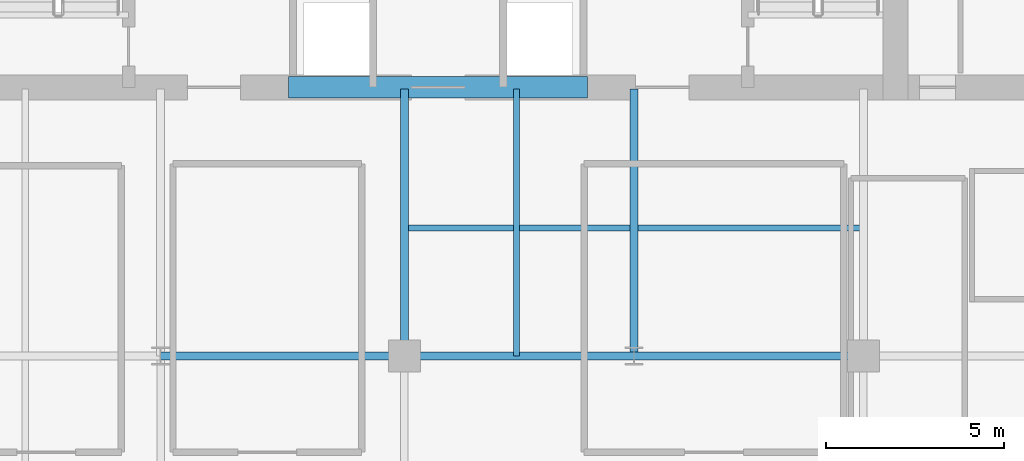
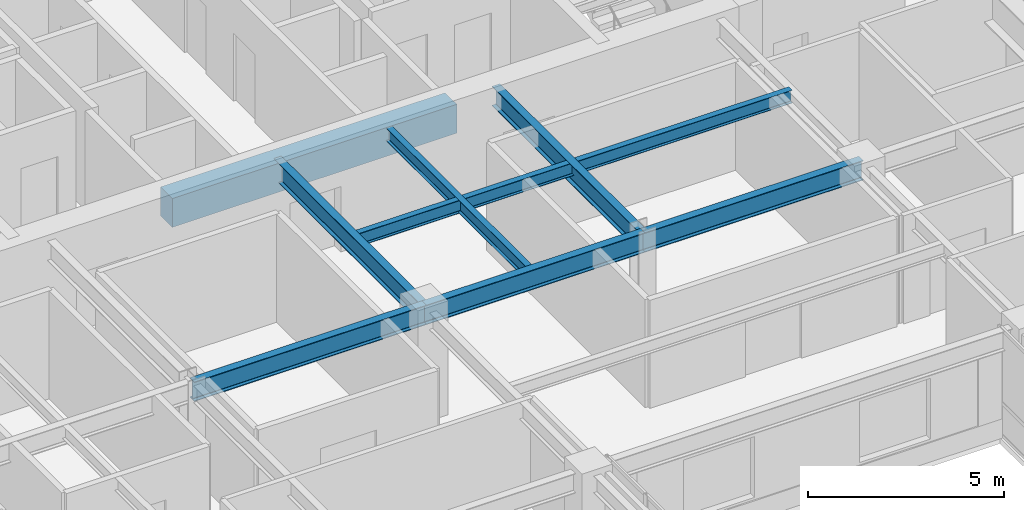
# One storey, part 6 of 24: 8 beams.
"""IFC4 building model written with IfcOpenShell, lengths in metres."""

from ifc_helpers import new_model, si_unit, direction, frame, origin, origin_2d, place, context, subcontext, project, spatial, rectangle, i_section, extrude, source, transform, mapped, material, material_profile, profile_set, type_object, type_shapes, element, save


model = new_model("IFC4")

# Units and contexts
model_context = context("Model", 3, precision=1e-05, world=origin(), true_north=direction((0.0, 1.0)))
body_context = subcontext(model_context, "Body", "Model", "MODEL_VIEW")
ifc_project = project(units=[si_unit("LENGTHUNIT", "METRE"), si_unit("AREAUNIT", "SQUARE_METRE"), si_unit("VOLUMEUNIT", "CUBIC_METRE"), si_unit("PLANEANGLEUNIT", "RADIAN"), si_unit("MASSUNIT", "GRAM", prefix="KILO")], contexts=[model_context])

# Site, building, storey
site_placement = place(None, origin())
site = spatial("IfcSite", under=ifc_project, at=site_placement, CompositionType="ELEMENT")
building_placement = place(site_placement, origin())
building = spatial("IfcBuilding", under=site, at=building_placement, Name="Tolvann Quenvar Hotel", CompositionType="ELEMENT")
storey_placement = place(building_placement, frame((0.0, 0.0, 118.64990234375)))
storey = spatial("IfcBuildingStorey", under=building, at=storey_placement, Name="L30", CompositionType="ELEMENT", Elevation=118.64990234375)

# Beams
ifc_material_1 = material(Name="Concrete N50 (50 MPa)", Category="concrete")
ifc_material_profile_1 = material_profile(ifc_material_1, rectangle(XDim=0.60009765625, YDim=0.89990234375, at=origin_2d()), Name="RC600x900")
ifc_profile_set_1 = profile_set([ifc_material_profile_1], Name="Concrete N50 (50 MPa)")
beam_type_1 = type_object("IfcBeamType", Name="BM_LINT_RC600x900", PredefinedType="LINTEL", material=ifc_profile_set_1)
shared_shape_1 = source(origin(), body_context, "Body", "SweptSolid", [
    extrude(rectangle(XDim=0.60009765625, YDim=0.89990234375, at=origin_2d()), origin(), (0.0, 0.0, 1.0), 8.39990234375),
])
type_shapes(beam_type_1, [shared_shape_1])
beam_1_placement = place(storey_placement, frame((18.800048828125, 31.949951171875, 2.920166015625), z_axis=(1.0, 0.0, 0.0), x_axis=(0.0, 1.0, 0.0)))
element("IfcBeam", 1, at=beam_1_placement, inside=storey, type_object=beam_type_1, Name="Core Coupling Lintel Beam (L30)", PredefinedType="LINTEL", context=body_context, shape_type="MappedRepresentation", body=[
    mapped(shared_shape_1, transform((0.0, 0.0, 0.0), x_axis=(1.0, 0.0, 0.0), y_axis=(0.0, 1.0, 0.0), z_axis=(0.0, 0.0, 1.0), scale=1.0)),
])
ifc_material_2 = material(Name="Steel Grade 350", Category="steel")
ifc_material_profile_2 = material_profile(ifc_material_2, i_section(OverallWidth=0.22900390625, OverallDepth=0.612060546875, WebThickness=0.011962890625, FlangeThickness=0.01953125, FilletRadius=0.013916015625, at=origin_2d()), Name="610UB125")
ifc_profile_set_2 = profile_set([ifc_material_profile_2], Name="Steel Grade 350")
beam_type_2 = type_object("IfcBeamType", Name="BM_GIRD_610UB125", PredefinedType="BEAM", material=ifc_profile_set_2)
shared_shape_2 = source(origin(), body_context, "Body", "SweptSolid", [
    extrude(i_section(OverallWidth=0.22900390625, OverallDepth=0.612060546875, WebThickness=0.011962890625, FlangeThickness=0.01953125, FilletRadius=0.013916015625, at=origin_2d()), origin(), (0.0, 0.0, 1.0), 6.85009765625),
])
beam_2_placement = place(storey_placement, frame((15.199951171875, 24.39990234375, 3.064208984375), z_axis=(1.0, 0.0, 0.0), x_axis=(0.0, 1.0, 0.0)))
element("IfcBeam", 2, at=beam_2_placement, inside=storey, type_object=beam_type_2, Name="BM-L30-EW-5-D5-E5", PredefinedType="BEAM", context=body_context, shape_type="MappedRepresentation", body=[
    mapped(shared_shape_2, transform((0.0, 0.0, 0.0), x_axis=(1.0, 0.0, 0.0), y_axis=(0.0, 1.0, 0.0), z_axis=(0.0, 0.0, 1.0), scale=1.0)),
])
shared_shape_3 = source(origin(), body_context, "Body", "SweptSolid", [
    extrude(i_section(OverallWidth=0.22900390625, OverallDepth=0.612060546875, WebThickness=0.011962890625, FlangeThickness=0.01953125, FilletRadius=0.013916015625, at=origin_2d()), origin(), (0.0, 0.0, 1.0), 6.449951171875),
])
for number, where, z_axis, x_axis, name in (
    (3, (22.050048828125, 24.39990234375, 3.064208984375), (1.0, 0.0, 0.0), (0.0, 1.0, 0.0), "BM-L30-EW-5-E5-M5"),
    (4, (28.5, 24.39990234375, 3.064208984375), (1.0, 0.0, 0.0), (0.0, 1.0, 0.0), "BM-L30-EW-5-M5-F5"),
):
    element("IfcBeam", number, at=place(storey_placement, frame(where, z_axis=z_axis, x_axis=x_axis)), inside=storey, type_object=beam_type_2, Name=name, PredefinedType="BEAM", context=body_context, shape_type="MappedRepresentation", body=[
        mapped(shared_shape_3, transform((0.0, 0.0, 0.0), x_axis=(1.0, 0.0, 0.0), y_axis=(0.0, 1.0, 0.0), z_axis=(0.0, 0.0, 1.0), scale=1.0)),
    ])
shared_shape_4 = source(origin(), body_context, "Body", "SweptSolid", [
    extrude(i_section(OverallWidth=0.22900390625, OverallDepth=0.612060546875, WebThickness=0.011962890625, FlangeThickness=0.01953125, FilletRadius=0.013916015625, at=origin_2d()), origin(), (0.0, 0.0, 1.0), 7.5),
])
type_shapes(beam_type_2, [shared_shape_2, shared_shape_3, shared_shape_4])
for number, where, z_axis, x_axis, name in (
    (5, (22.050048828125, 24.39990234375, 3.064208984375), (0.0, 1.0, 0.0), (-1.0, 0.0, 0.0), "BM-L30-CORE-E5"),
    (6, (28.5, 24.39990234375, 3.064208984375), (0.0, 1.0, 0.0), (-1.0, 0.0, 0.0), "BM-L30-CORE-M5"),
):
    element("IfcBeam", number, at=place(storey_placement, frame(where, z_axis=z_axis, x_axis=x_axis)), inside=storey, type_object=beam_type_2, Name=name, PredefinedType="BEAM", context=body_context, shape_type="MappedRepresentation", body=[
        mapped(shared_shape_4, transform((0.0, 0.0, 0.0), x_axis=(1.0, 0.0, 0.0), y_axis=(0.0, 1.0, 0.0), z_axis=(0.0, 0.0, 1.0), scale=1.0)),
    ])
ifc_material_profile_3 = material_profile(ifc_material_2, i_section(OverallWidth=0.177978515625, OverallDepth=0.406005859375, WebThickness=0.0078125, FlangeThickness=0.0126953125, FilletRadius=0.011474609375, at=origin_2d()), Name="410UB60")
ifc_profile_set_3 = profile_set([ifc_material_profile_3], Name="Steel Grade 350")
beam_type_3 = type_object("IfcBeamType", Name="BM_JOIST_410UB60", PredefinedType="JOIST", material=ifc_profile_set_3)
shared_shape_5 = source(origin(), body_context, "Body", "SweptSolid", [
    extrude(i_section(OverallWidth=0.177978515625, OverallDepth=0.406005859375, WebThickness=0.0078125, FlangeThickness=0.0126953125, FilletRadius=0.011474609375, at=origin_2d()), origin(), (0.0, 0.0, 1.0), 12.89990234375),
])
beam_3_placement = place(storey_placement, frame((22.050048828125, 28.0, 3.1669921875), z_axis=(1.0, 0.0, 0.0), x_axis=(0.0, 1.0, 0.0)))
element("IfcBeam", 7, at=beam_3_placement, inside=storey, type_object=beam_type_3, Name="BM-L30-SPINE-28", PredefinedType="JOIST", context=body_context, shape_type="MappedRepresentation", body=[
    mapped(shared_shape_5, transform((0.0, 0.0, 0.0), x_axis=(1.0, 0.0, 0.0), y_axis=(0.0, 1.0, 0.0), z_axis=(0.0, 0.0, 1.0), scale=1.0)),
])
shared_shape_6 = source(origin(), body_context, "Body", "SweptSolid", [
    extrude(i_section(OverallWidth=0.177978515625, OverallDepth=0.406005859375, WebThickness=0.0078125, FlangeThickness=0.0126953125, FilletRadius=0.011474609375, at=origin_2d()), origin(), (0.0, 0.0, 1.0), 7.5),
])
type_shapes(beam_type_3, [shared_shape_5, shared_shape_6])
beam_4_placement = place(storey_placement, frame((25.199951171875, 24.39990234375, 3.1669921875), z_axis=(0.0, 1.0, 0.0), x_axis=(-1.0, 0.0, 0.0)))
element("IfcBeam", 8, at=beam_4_placement, inside=storey, type_object=beam_type_3, Name="BJ-L30-252-244", PredefinedType="JOIST", context=body_context, shape_type="MappedRepresentation", body=[
    mapped(shared_shape_6, transform((0.0, 0.0, 0.0), x_axis=(1.0, 0.0, 0.0), y_axis=(0.0, 1.0, 0.0), z_axis=(0.0, 0.0, 1.0), scale=1.0)),
])

save(model, "model.ifc")
